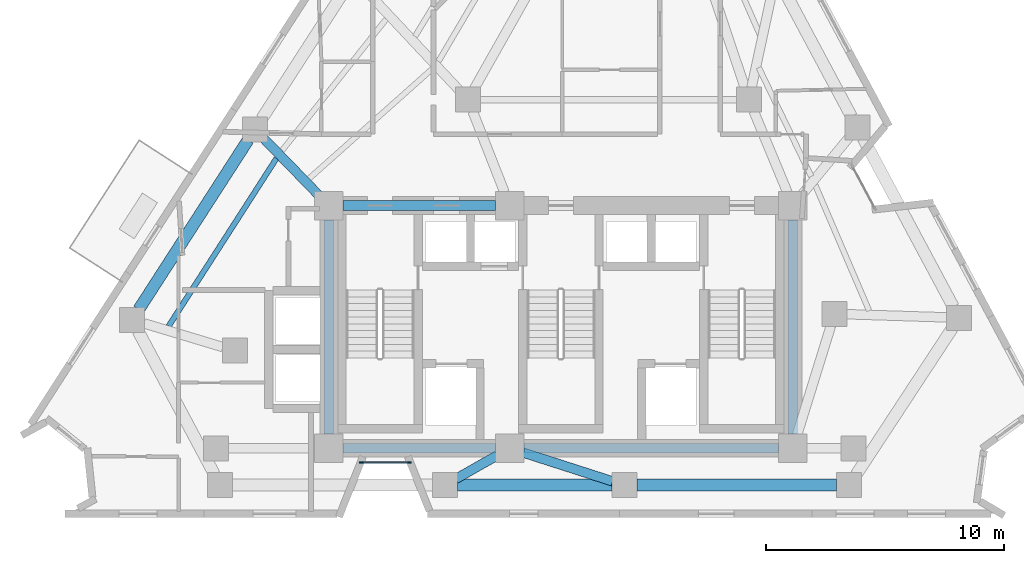
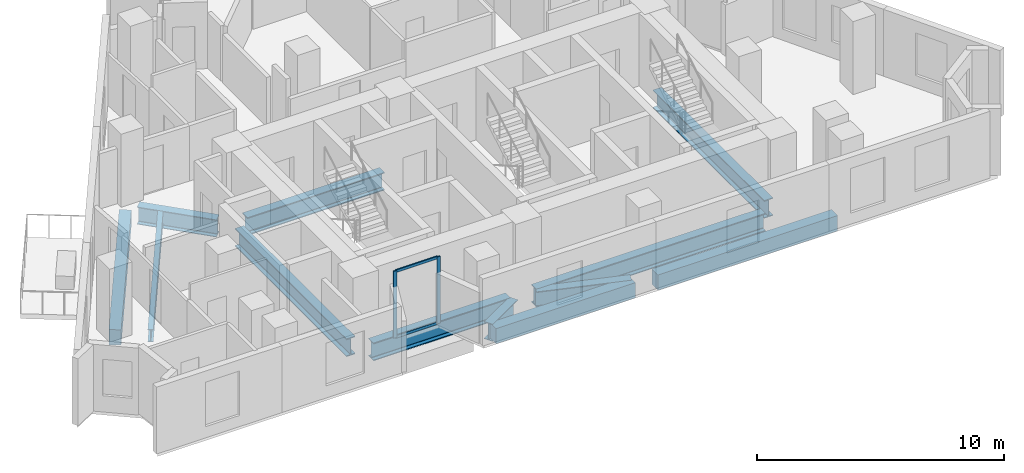
# One storey, part 2 of 11: 12 beams, 4 members, 1 element without a shape of its own.
"""IFC4 building model written with IfcOpenShell, lengths in metres."""

from ifc_helpers import new_model, si_unit, direction, frame, origin, origin_2d, place, context, subcontext, project, spatial, rectangle, i_section, extrude, material, layer, layer_set, material_profile, profile_set, type_object, element, aggregate, save


model = new_model("IFC4")

# Units and contexts
model_context = context("Model", 3, precision=1e-05, world=origin(), true_north=direction((0.0, 1.0)))
body_context = subcontext(model_context, "Body", "Model", "MODEL_VIEW")
ifc_project = project(units=[si_unit("LENGTHUNIT", "METRE"), si_unit("AREAUNIT", "SQUARE_METRE"), si_unit("VOLUMEUNIT", "CUBIC_METRE"), si_unit("PLANEANGLEUNIT", "RADIAN"), si_unit("MASSUNIT", "GRAM", prefix="KILO")], contexts=[model_context])

# Site, building, storey
site_placement = place(None, origin())
site = spatial("IfcSite", under=ifc_project, at=site_placement, CompositionType="ELEMENT")
building_placement = place(site_placement, origin())
building = spatial("IfcBuilding", under=site, at=building_placement, Name="Almagre Mirador Tower", CompositionType="ELEMENT")
storey_placement = place(building_placement, frame((0.0, 0.0, 193.199951171875)))
storey = spatial("IfcBuildingStorey", under=building, at=storey_placement, Name="L50", CompositionType="ELEMENT", Elevation=193.199951171875)

# Beams
ifc_material_1 = material(Name="Steel ASTM A992 Grade 50", Category="steel")
ifc_material_profile_1 = material_profile(ifc_material_1, i_section(OverallWidth=0.22802734375, OverallDepth=0.60791015625, WebThickness=0.01123046875, FlangeThickness=0.017333984375, FilletRadius=0.02001953125, at=origin_2d()), Name="W24X76")
ifc_profile_set_1 = profile_set([ifc_material_profile_1], Name="Steel ASTM A992 Grade 50")
beam_type_1 = type_object("IfcBeamType", Name="BM-JST-W24X76", PredefinedType="JOIST", material=ifc_profile_set_1)
beam_1_placement = place(storey_placement, frame((25.35205078125, 16.735595703125, -0.553955078125), z_axis=(-0.540710465043, -0.841208768971, 0.0), x_axis=(0.841208768971, -0.540710465043, 0.0)))
element("IfcBeam", 1, at=beam_1_placement, inside=storey, type_object=beam_type_1, Name="L50 secondary floor joist PC11-PC12.1", PredefinedType="JOIST", context=body_context, shape_type="SweptSolid", body=[
    extrude(i_section(OverallWidth=0.22802734375, OverallDepth=0.60791015625, WebThickness=0.01123046875, FlangeThickness=0.017333984375, FilletRadius=0.02001953125, at=origin_2d()), origin(), (0.0, 0.0, 1.0), 8.37890625),
])
ifc_material_2 = material(Name="Precast concrete C50/60", Category="concrete")
ifc_material_profile_2 = material_profile(ifc_material_2, rectangle(XDim=0.5, YDim=0.75, at=origin_2d()), Name="RC500X750")
ifc_profile_set_2 = profile_set([ifc_material_profile_2], Name="Precast concrete C50/60")
beam_type_2 = type_object("IfcBeamType", Name="BM-SPN-RC500X750", PredefinedType="SPANDREL", material=ifc_profile_set_2)
beam_2_placement = place(storey_placement, frame((32.948974609375, 3.0, -0.625), z_axis=(1.0, 0.0, 0.0), x_axis=(0.0, 1.0, 0.0)))
element("IfcBeam", 2, at=beam_2_placement, inside=storey, type_object=beam_type_2, Name="L50 perimeter spandrel beam PC02-PC03", PredefinedType="SPANDREL", context=body_context, shape_type="SweptSolid", body=[
    extrude(rectangle(XDim=0.5, YDim=0.75, at=origin_2d()), origin(), (0.0, 0.0, 1.0), 6.501953125),
])
beam_3_placement = place(storey_placement, frame((40.5009765625, 3.0, -0.625), z_axis=(1.0, 0.0, 0.0), x_axis=(0.0, 1.0, 0.0)))
element("IfcBeam", 3, at=beam_3_placement, inside=storey, type_object=beam_type_2, Name="L50 perimeter spandrel beam PC03-PC04", PredefinedType="SPANDREL", context=body_context, shape_type="SweptSolid", body=[
    extrude(rectangle(XDim=0.5, YDim=0.75, at=origin_2d()), origin(), (0.0, 0.0, 1.0), 8.39013671875),
])
beam_4_placement = place(storey_placement, frame((24.159423828125, 17.5087890625, -0.625), z_axis=(-0.542024442959, -0.840362721231, 0.0), x_axis=(0.840362721231, -0.542024442959, 0.0)))
element("IfcBeam", 4, at=beam_4_placement, inside=storey, type_object=beam_type_2, Name="L50 perimeter spandrel beam PC11-PC12", PredefinedType="SPANDREL", context=body_context, shape_type="SweptSolid", body=[
    extrude(rectangle(XDim=0.5, YDim=0.75, at=origin_2d()), origin(), (0.0, 0.0, 1.0), 8.4697265625),
])
ifc_material_3 = material(Name="Steel ASTM A992 Grade 50", Category="steel")
ifc_material_profile_3 = material_profile(ifc_material_3, i_section(OverallWidth=0.39892578125, OverallDepth=0.85595703125, WebThickness=0.018310546875, FlangeThickness=0.029296875, FilletRadius=0.02490234375, at=origin_2d()), Name="W33X201")
ifc_profile_set_3 = profile_set([ifc_material_profile_3], Name="Steel ASTM A992 Grade 50")
beam_type_3 = type_object("IfcBeamType", Name="BM-STL-W33X201", PredefinedType="BEAM", material=ifc_profile_set_3)
beam_5_placement = place(storey_placement, frame((32.88037109375, 3.259521484375, -0.677978515625), z_axis=(0.869309554044, 0.494268043927, 0.0), x_axis=(-0.494268043927, 0.869309554044, 0.0)))
element("IfcBeam", 5, at=beam_5_placement, inside=storey, type_object=beam_type_3, Name="L50 radial floor girder PC02-CC2", PredefinedType="BEAM", context=body_context, shape_type="SweptSolid", body=[
    extrude(i_section(OverallWidth=0.39892578125, OverallDepth=0.85595703125, WebThickness=0.018310546875, FlangeThickness=0.029296875, FilletRadius=0.02490234375, at=origin_2d()), origin(), (0.0, 0.0, 1.0), 2.0107421875),
])
beam_6_placement = place(storey_placement, frame((39.47607421875, 3.160400390625, -0.677978515625), z_axis=(-0.952092949621, 0.30580878876, 0.0), x_axis=(-0.30580878876, -0.952092949621, 0.0)))
element("IfcBeam", 6, at=beam_6_placement, inside=storey, type_object=beam_type_3, Name="L50 radial floor girder PC03-CC2", PredefinedType="BEAM", context=body_context, shape_type="SweptSolid", body=[
    extrude(i_section(OverallWidth=0.39892578125, OverallDepth=0.85595703125, WebThickness=0.018310546875, FlangeThickness=0.029296875, FilletRadius=0.02490234375, at=origin_2d()), origin(), (0.0, 0.0, 1.0), 3.94384765625),
])
beam_7_placement = place(storey_placement, frame((24.809814453125, 17.5732421875, -0.677978515625), z_axis=(0.69644765499, -0.717607597409, 0.0), x_axis=(0.717607597409, 0.69644765499, 0.0)))
element("IfcBeam", 7, at=beam_7_placement, inside=storey, type_object=beam_type_3, Name="L50 radial floor girder PC11-CC4", PredefinedType="BEAM", context=body_context, shape_type="SweptSolid", body=[
    extrude(i_section(OverallWidth=0.39892578125, OverallDepth=0.85595703125, WebThickness=0.018310546875, FlangeThickness=0.029296875, FilletRadius=0.02490234375, at=origin_2d()), origin(), (0.0, 0.0, 1.0), 3.33447265625),
])
ifc_material_4 = material(Name="Steel ASTM A992 Grade 50", Category="steel")
ifc_material_profile_4 = material_profile(ifc_material_4, i_section(OverallWidth=0.404052734375, OverallDepth=0.884033203125, WebThickness=0.0244140625, FlangeThickness=0.0439453125, FilletRadius=0.02490234375, at=origin_2d()), Name="W33X291")
ifc_profile_set_4 = profile_set([ifc_material_profile_4], Name="Steel ASTM A992 Grade 50")
beam_type_4 = type_object("IfcBeamType", Name="BM-STL-W33X291", PredefinedType="BEAM", material=ifc_profile_set_4)
beam_8_placement = place(storey_placement, frame((28.14990234375, 4.550048828125, -0.69189453125), z_axis=(1.0, 0.0, 0.0), x_axis=(0.0, 1.0, 0.0)))
element("IfcBeam", 8, at=beam_8_placement, inside=storey, type_object=beam_type_4, Name="L50 core tie girder CC1-CC2", PredefinedType="BEAM", context=body_context, shape_type="SweptSolid", body=[
    extrude(i_section(OverallWidth=0.404052734375, OverallDepth=0.884033203125, WebThickness=0.0244140625, FlangeThickness=0.0439453125, FilletRadius=0.02490234375, at=origin_2d()), origin(), (0.0, 0.0, 1.0), 6.400146484375),
])
beam_9_placement = place(storey_placement, frame((35.75, 4.550048828125, -0.69189453125), z_axis=(1.0, 0.0, 0.0), x_axis=(0.0, 1.0, 0.0)))
element("IfcBeam", 9, at=beam_9_placement, inside=storey, type_object=beam_type_4, Name="L50 core tie girder CC2-CC3", PredefinedType="BEAM", context=body_context, shape_type="SweptSolid", body=[
    extrude(i_section(OverallWidth=0.404052734375, OverallDepth=0.884033203125, WebThickness=0.0244140625, FlangeThickness=0.0439453125, FilletRadius=0.02490234375, at=origin_2d()), origin(), (0.0, 0.0, 1.0), 10.699951171875),
])
beam_10_placement = place(storey_placement, frame((28.14990234375, 14.75, -0.69189453125), z_axis=(1.0, 0.0, 0.0), x_axis=(0.0, 1.0, 0.0)))
element("IfcBeam", 10, at=beam_10_placement, inside=storey, type_object=beam_type_4, Name="L50 core tie girder CC4-CC5", PredefinedType="BEAM", context=body_context, shape_type="SweptSolid", body=[
    extrude(i_section(OverallWidth=0.404052734375, OverallDepth=0.884033203125, WebThickness=0.0244140625, FlangeThickness=0.0439453125, FilletRadius=0.02490234375, at=origin_2d()), origin(), (0.0, 0.0, 1.0), 6.400146484375),
])
for number, where, z_axis, x_axis, name in (
    (11, (27.550048828125, 5.14990234375, -0.69189453125), (0.0, 1.0, 0.0), (-1.0, 0.0, 0.0), "L50 core tie girder CC1-CC4"),
    (12, (47.050048828125, 5.14990234375, -0.69189453125), (0.0, 1.0, 0.0), (-1.0, 0.0, 0.0), "L50 core tie girder CC3-CC6"),
):
    element("IfcBeam", number, at=place(storey_placement, frame(where, z_axis=z_axis, x_axis=x_axis)), inside=storey, type_object=beam_type_4, Name=name, PredefinedType="BEAM", context=body_context, shape_type="SweptSolid", body=[
        extrude(i_section(OverallWidth=0.404052734375, OverallDepth=0.884033203125, WebThickness=0.0244140625, FlangeThickness=0.0439453125, FilletRadius=0.02490234375, at=origin_2d()), origin(), (0.0, 0.0, 1.0), 9.0),
    ])

# Curtain wall, members
ifc_material_5 = material(Name="Black anodized aluminium", Category="aluminium")
ifc_layer = layer(ifc_material_5, 0.169921875)
ifc_layer_set = layer_set([ifc_layer], Name="Black anodized aluminium")
curtain_wall_type = type_object("IfcCurtainWallType", Name="CW-CRS-SYS", PredefinedType="NOTDEFINED", material=ifc_layer_set)
curtain_wall_placement = place(storey_placement, origin())
curtain_wall = element("IfcCurtainWall", 13, at=curtain_wall_placement, inside=storey, type_object=curtain_wall_type, Name="L50 vertical crease curtain wall 04", PredefinedType="NOTDEFINED")
ifc_material_6 = material(Name="Black anodized aluminium", Category="aluminium")
ifc_material_profile_5 = material_profile(ifc_material_6, rectangle(XDim=0.06005859375, YDim=0.14990234375, at=origin_2d()), Name="CWM60X150")
ifc_profile_set_5 = profile_set([ifc_material_profile_5], Name="Black anodized aluminium")
member_type_1 = type_object("IfcMemberType", Name="MBR-CWM60X150", PredefinedType="MULLION", material=ifc_profile_set_5)
member_1_placement = place(storey_placement, frame((30.943115234375, 3.949951171875, 0.0), z_axis=(0.0, 0.0, 1.0), x_axis=(0.0, -1.0, 0.0)))
member_1 = element("IfcMember", 14, at=member_1_placement, type_object=member_type_1, Name="CW-4 mullion 1", PredefinedType="MULLION", context=body_context, shape_type="SweptSolid", body=[
    extrude(rectangle(XDim=0.06005859375, YDim=0.14990234375, at=origin_2d()), origin(), (0.0, 0.0, 1.0), 3.300048828125),
])
member_2_placement = place(storey_placement, frame((28.9130859375, 3.949951171875, 0.0), z_axis=(0.0, 0.0, 1.0), x_axis=(0.0, -1.0, 0.0)))
member_2 = element("IfcMember", 15, at=member_2_placement, type_object=member_type_1, Name="CW-4 mullion 2", PredefinedType="MULLION", context=body_context, shape_type="SweptSolid", body=[
    extrude(rectangle(XDim=0.06005859375, YDim=0.14990234375, at=origin_2d()), origin(), (0.0, 0.0, 1.0), 3.300048828125),
])
ifc_material_7 = material(Name="Black anodized aluminium", Category="aluminium")
ifc_material_profile_6 = material_profile(ifc_material_7, rectangle(XDim=0.06005859375, YDim=0.1298828125, at=origin_2d()), Name="CWT60X130")
ifc_profile_set_6 = profile_set([ifc_material_profile_6], Name="Black anodized aluminium")
member_type_2 = type_object("IfcMemberType", Name="MBR-CWT60X130", PredefinedType="USERDEFINED", material=ifc_profile_set_6)
member_3_placement = place(storey_placement, frame((30.9130859375, 3.949951171875, 0.030029296875), z_axis=(-1.0, 0.0, 0.0), x_axis=(0.0, -1.0, 0.0)))
member_3 = element("IfcMember", 16, at=member_3_placement, type_object=member_type_2, Name="CW-4 transom 1.1", ObjectType="TRANSOM", PredefinedType="USERDEFINED", context=body_context, shape_type="SweptSolid", body=[
    extrude(rectangle(XDim=0.06005859375, YDim=0.1298828125, at=origin_2d()), origin(), (0.0, 0.0, 1.0), 1.969970703125),
])
member_4_placement = place(storey_placement, frame((30.9130859375, 3.949951171875, 3.27001953125), z_axis=(-1.0, 0.0, 0.0), x_axis=(0.0, -1.0, 0.0)))
member_4 = element("IfcMember", 17, at=member_4_placement, type_object=member_type_2, Name="CW-4 transom 1.2", ObjectType="TRANSOM", PredefinedType="USERDEFINED", context=body_context, shape_type="SweptSolid", body=[
    extrude(rectangle(XDim=0.06005859375, YDim=0.1298828125, at=origin_2d()), origin(), (0.0, 0.0, 1.0), 1.969970703125),
])
aggregate(curtain_wall, [member_1, member_2, member_3, member_4])

save(model, "model.ifc")
